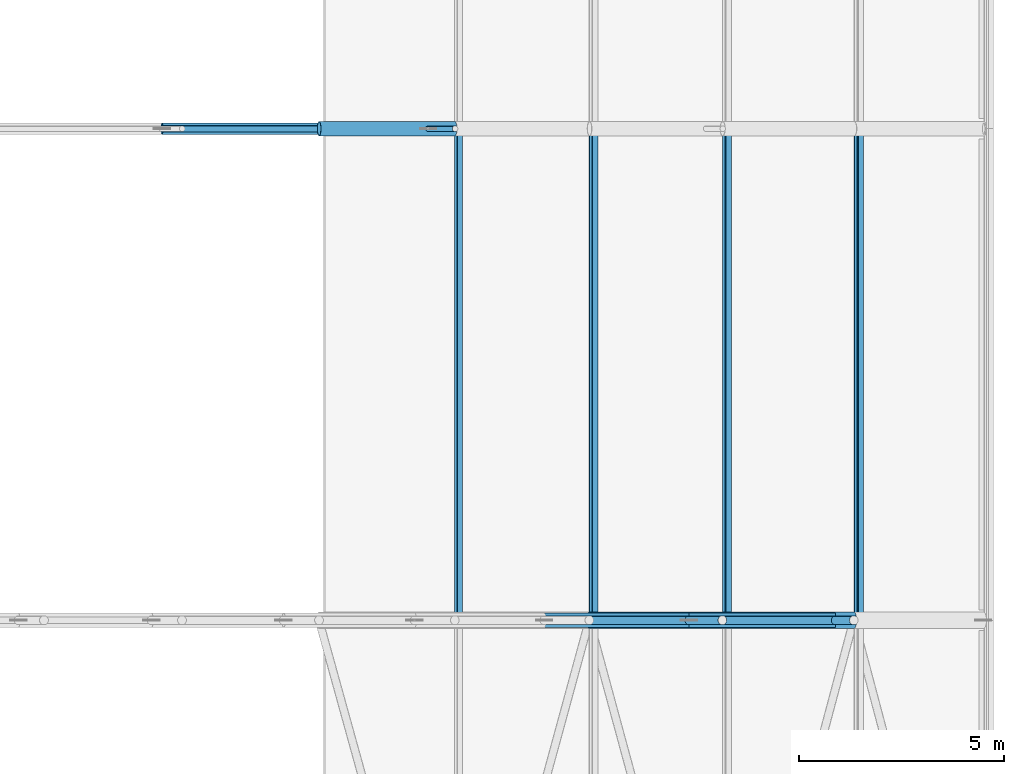
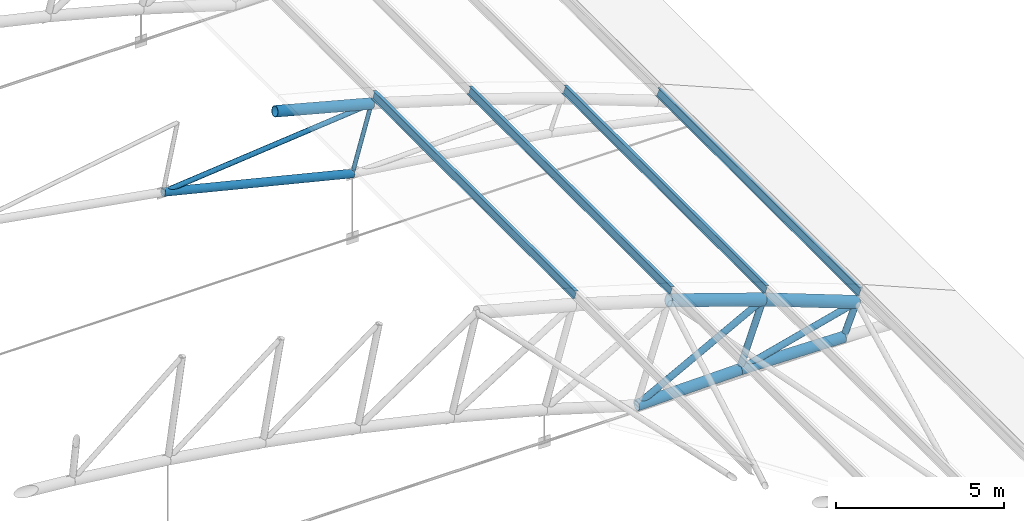
# One storey, part 110 of 321: 16 members.
"""IFC4 building model written with IfcOpenShell, lengths in metres."""

from ifc_helpers import new_model, si_unit, direction, frame, origin, origin_2d, place, context, subcontext, project, spatial, hollow_circle, i_section, extrude, material, material_profile, profile_set, type_object, element, save


model = new_model("IFC4")

# Units and contexts
model_context = context("Model", 3, precision=1e-05, world=origin(), true_north=direction((0.0, 1.0)))
body_context = subcontext(model_context, "Body", "Model", "MODEL_VIEW")
ifc_project = project(units=[si_unit("LENGTHUNIT", "METRE"), si_unit("AREAUNIT", "SQUARE_METRE"), si_unit("VOLUMEUNIT", "CUBIC_METRE"), si_unit("PLANEANGLEUNIT", "RADIAN"), si_unit("MASSUNIT", "GRAM", prefix="KILO")], contexts=[model_context])

# Site, building, storey
site_placement = place(None, origin())
site = spatial("IfcSite", under=ifc_project, at=site_placement, CompositionType="ELEMENT")
building_placement = place(site_placement, origin())
building = spatial("IfcBuilding", under=site, at=building_placement, Name="Ravi Spectrum Wholesale Market", CompositionType="ELEMENT")
storey_placement = place(building_placement, frame((0.0, 0.0, 10.800048828125)))
storey = spatial("IfcBuildingStorey", under=building, at=storey_placement, Name="L02", CompositionType="ELEMENT", Elevation=10.800048828125)

# Members
ifc_material_1 = material(Name="Steel S355", Category="steel")
ifc_material_profile_1 = material_profile(ifc_material_1, hollow_circle(Radius=0.06982421875, WallThickness=0.0048828125, at=origin_2d()))
ifc_profile_set_1 = profile_set([ifc_material_profile_1], Name="Steel S355")
member_type_1 = type_object("IfcMemberType", Name="CHS 139.7x5 post", PredefinedType="POST", material=ifc_profile_set_1)
member_1_placement = place(storey_placement, frame((97.103759765625, 138.0, 4.661376953125), z_axis=(-0.272503703517, 0.0, -0.962154733694), x_axis=(0.0, -1.0, 0.0)))
element("IfcMember", 1, at=member_1_placement, inside=storey, type_object=member_type_1, Name="H1-MB-L02-793", PredefinedType="POST", context=body_context, shape_type="SweptSolid", body=[
    extrude(hollow_circle(Radius=0.06982421875, WallThickness=0.0048828125, at=origin_2d()), origin(), (0.0, 0.0, 1.0), 2.400146484375),
])
ifc_material_2 = material(Name="Steel S355", Category="steel")
ifc_material_profile_2 = material_profile(ifc_material_2, hollow_circle(Radius=0.084228515625, WallThickness=0.00634765625, at=origin_2d()))
ifc_profile_set_2 = profile_set([ifc_material_profile_2], Name="Steel S355")
member_type_2 = type_object("IfcMemberType", Name="CHS 168.3x6.3 brace", PredefinedType="BRACE", material=ifc_profile_set_2)
member_2_placement = place(storey_placement, frame((97.103759765625, 138.0, 4.661376953125), z_axis=(-0.995140525262, 0.0, -0.098464892124), x_axis=(0.0, -1.0, 0.0)))
element("IfcMember", 2, at=member_2_placement, inside=storey, type_object=member_type_2, Name="H1-MB-L02-803", PredefinedType="BRACE", context=body_context, shape_type="SweptSolid", body=[
    extrude(hollow_circle(Radius=0.084228515625, WallThickness=0.00634765625, at=origin_2d()), origin(), (0.0, 0.0, 1.0), 7.1904296875),
])
ifc_material_3 = material(Name="Steel S355", Category="steel")
ifc_material_profile_3 = material_profile(ifc_material_3, hollow_circle(Radius=0.109619140625, WallThickness=0.008056640625, at=origin_2d()))
ifc_profile_set_3 = profile_set([ifc_material_profile_3], Name="Steel S355")
member_type_3 = type_object("IfcMemberType", Name="CHS 219.1x8 brace", PredefinedType="BRACE", material=ifc_profile_set_3)
member_3_placement = place(storey_placement, frame((103.62841796875, 126.0, 2.541015625), z_axis=(-0.881933088563, 0.0, -0.471374614608), x_axis=(0.0, -1.0, 0.0)))
element("IfcMember", 3, at=member_3_placement, inside=storey, type_object=member_type_3, Name="H1-MB-L02-740", PredefinedType="BRACE", context=body_context, shape_type="SweptSolid", body=[
    extrude(hollow_circle(Radius=0.109619140625, WallThickness=0.008056640625, at=origin_2d()), origin(), (0.0, 0.0, 1.0), 4.9296875),
])
member_4_placement = place(storey_placement, frame((106.836181640625, 126.0, 1.325439453125), z_axis=(-0.967942387937, 0.0, -0.251172318609), x_axis=(0.0, -1.0, 0.0)))
element("IfcMember", 4, at=member_4_placement, inside=storey, type_object=member_type_3, Name="H1-MB-L02-741", PredefinedType="BRACE", context=body_context, shape_type="SweptSolid", body=[
    extrude(hollow_circle(Radius=0.109619140625, WallThickness=0.008056640625, at=origin_2d()), origin(), (0.0, 0.0, 1.0), 4.15234375),
])
ifc_material_4 = material(Name="Steel S355", Category="steel")
ifc_material_profile_4 = material_profile(ifc_material_4, hollow_circle(Radius=0.109619140625, WallThickness=0.008056640625, at=origin_2d()))
ifc_profile_set_4 = profile_set([ifc_material_profile_4], Name="Steel S355")
member_type_4 = type_object("IfcMemberType", Name="CHS 219.1x8 post", PredefinedType="POST", material=ifc_profile_set_4)
member_5_placement = place(storey_placement, frame((103.62841796875, 126.0, 2.541015625), z_axis=(-0.338146640483, 0.0, -0.941093432944), x_axis=(0.0, -1.0, 0.0)))
element("IfcMember", 5, at=member_5_placement, inside=storey, type_object=member_type_4, Name="H1-MB-L02-718", PredefinedType="POST", context=body_context, shape_type="SweptSolid", body=[
    extrude(hollow_circle(Radius=0.109619140625, WallThickness=0.008056640625, at=origin_2d()), origin(), (0.0, 0.0, 1.0), 2.39990234375),
])
member_6_placement = place(storey_placement, frame((106.836181640625, 126.0, 1.325439453125), z_axis=(-0.370513497528, 0.0, -0.928827081942), x_axis=(0.0, -1.0, 0.0)))
element("IfcMember", 6, at=member_6_placement, inside=storey, type_object=member_type_4, Name="H1-MB-L02-719", PredefinedType="POST", context=body_context, shape_type="SweptSolid", body=[
    extrude(hollow_circle(Radius=0.109619140625, WallThickness=0.008056640625, at=origin_2d()), origin(), (0.0, 0.0, 1.0), 1.199951171875),
])
ifc_material_5 = material(Name="Steel S355", Category="steel")
ifc_material_profile_5 = material_profile(ifc_material_5, hollow_circle(Radius=0.136474609375, WallThickness=0.010009765625, at=origin_2d()))
ifc_profile_set_5 = profile_set([ifc_material_profile_5], Name="Steel S355")
member_type_5 = type_object("IfcMemberType", Name="CHS 273x10 chord", PredefinedType="CHORD", material=ifc_profile_set_5)
member_7_placement = place(storey_placement, frame((89.9482421875, 138.0, 3.953369140625), z_axis=(0.970981670562, 0.0, -0.23915391578), x_axis=(0.0, 1.0, 0.0)))
element("IfcMember", 7, at=member_7_placement, inside=storey, type_object=member_type_5, Name="H1-MB-L02-781", PredefinedType="CHORD", context=body_context, shape_type="SweptSolid", body=[
    extrude(hollow_circle(Radius=0.136474609375, WallThickness=0.010009765625, at=origin_2d()), origin(), (0.0, 0.0, 1.0), 6.69580078125),
])
ifc_material_6 = material(Name="Steel S355", Category="steel")
ifc_material_profile_6 = material_profile(ifc_material_6, hollow_circle(Radius=0.177734375, WallThickness=0.012451171875, at=origin_2d()))
ifc_profile_set_6 = profile_set([ifc_material_profile_6], Name="Steel S355")
member_type_6 = type_object("IfcMemberType", Name="CHS 355.6x12.5 chord", PredefinedType="CHORD", material=ifc_profile_set_6)
member_8_placement = place(storey_placement, frame((99.28076171875, 126.0, 0.21728515625), z_axis=(0.999830134639, 0.0, 0.018431002896), x_axis=(0.0, 1.0, 0.0)))
element("IfcMember", 8, at=member_8_placement, inside=storey, type_object=member_type_6, Name="H1-MB-L02-694", PredefinedType="CHORD", context=body_context, shape_type="SweptSolid", body=[
    extrude(hollow_circle(Radius=0.177734375, WallThickness=0.012451171875, at=origin_2d()), origin(), (0.0, 0.0, 1.0), 3.53662109375),
])
member_9_placement = place(storey_placement, frame((102.81689453125, 126.0, 0.282470703125), z_axis=(0.999799841502, 0.0, -0.020006922112), x_axis=(0.0, 1.0, 0.0)))
element("IfcMember", 9, at=member_9_placement, inside=storey, type_object=member_type_6, Name="H1-MB-L02-695", PredefinedType="CHORD", context=body_context, shape_type="SweptSolid", body=[
    extrude(hollow_circle(Radius=0.177734375, WallThickness=0.012451171875, at=origin_2d()), origin(), (0.0, 0.0, 1.0), 3.575439453125),
])
member_10_placement = place(storey_placement, frame((93.786865234375, 138.0, 5.5390625), z_axis=(0.966728003216, 0.0, -0.255806504605), x_axis=(0.0, 1.0, 0.0)))
element("IfcMember", 10, at=member_10_placement, inside=storey, type_object=member_type_6, Name="H1-MB-L02-767", PredefinedType="CHORD", context=body_context, shape_type="SweptSolid", body=[
    extrude(hollow_circle(Radius=0.177734375, WallThickness=0.012451171875, at=origin_2d()), origin(), (0.0, 0.0, 1.0), 3.43115234375),
])
ifc_material_7 = material(Name="Steel S355", Category="steel")
ifc_material_profile_7 = material_profile(ifc_material_7, hollow_circle(Radius=0.203125, WallThickness=0.01611328125, at=origin_2d()))
ifc_profile_set_7 = profile_set([ifc_material_profile_7], Name="Steel S355")
member_type_7 = type_object("IfcMemberType", Name="CHS 406.4x16 chord", PredefinedType="CHORD", material=ifc_profile_set_7)
for number, where, z_axis, x_axis, name in (
    (11, (100.380615234375, 126.0, 3.645263671875), (0.946773178626, 0.0, -0.321901457335), (0.0, 1.0, 0.0), "H1-MB-L02-670"),
    (12, (103.62841796875, 126.0, 2.541015625), (0.935109783896, 0.0, -0.354358140956), (0.0, 1.0, 0.0), "H1-MB-L02-671"),
):
    element("IfcMember", number, at=place(storey_placement, frame(where, z_axis=z_axis, x_axis=x_axis)), inside=storey, type_object=member_type_7, Name=name, PredefinedType="CHORD", context=body_context, shape_type="SweptSolid", body=[
        extrude(hollow_circle(Radius=0.203125, WallThickness=0.01611328125, at=origin_2d()), origin(), (0.0, 0.0, 1.0), 3.430419921875),
    ])
ifc_material_8 = material(Name="Steel S355", Category="steel")
ifc_material_profile_8 = material_profile(ifc_material_8, i_section(OverallWidth=0.135009765625, OverallDepth=0.27001953125, WebThickness=0.006591796875, FlangeThickness=0.01025390625, at=origin_2d()))
ifc_profile_set_8 = profile_set([ifc_material_profile_8], Name="Steel S355")
member_type_8 = type_object("IfcMemberType", Name="IPE 270 purlin", PredefinedType="PURLIN", material=ifc_profile_set_8)
for number, where, z_axis, x_axis, name in (
    (13, (97.18896484375, 126.0, 4.962158203125), (0.0, 1.0, 0.0), (-0.96215600485, 0.0, 0.272499215286), "H1-MB-L02-1454"),
    (14, (100.484130859375, 126.0, 3.96728515625), (0.0, 1.0, 0.0), (-0.952184497174, 0.0, 0.305523621577), "H1-MB-L02-1455"),
    (15, (103.74267578125, 126.0, 2.859375), (0.0, 1.0, 0.0), (-0.941079849597, 0.0, 0.338184441811), "H1-MB-L02-1456"),
    (16, (106.96142578125, 126.0, 1.6396484375), (0.0, 1.0, 0.0), (-0.928855283584, 0.0, 0.370442792017), "H1-MB-L02-1457"),
):
    element("IfcMember", number, at=place(storey_placement, frame(where, z_axis=z_axis, x_axis=x_axis)), inside=storey, type_object=member_type_8, Name=name, PredefinedType="PURLIN", context=body_context, shape_type="SweptSolid", body=[
        extrude(i_section(OverallWidth=0.135009765625, OverallDepth=0.27001953125, WebThickness=0.006591796875, FlangeThickness=0.01025390625, at=origin_2d()), origin(), (0.0, 0.0, 1.0), 12.0),
    ])

save(model, "model.ifc")
